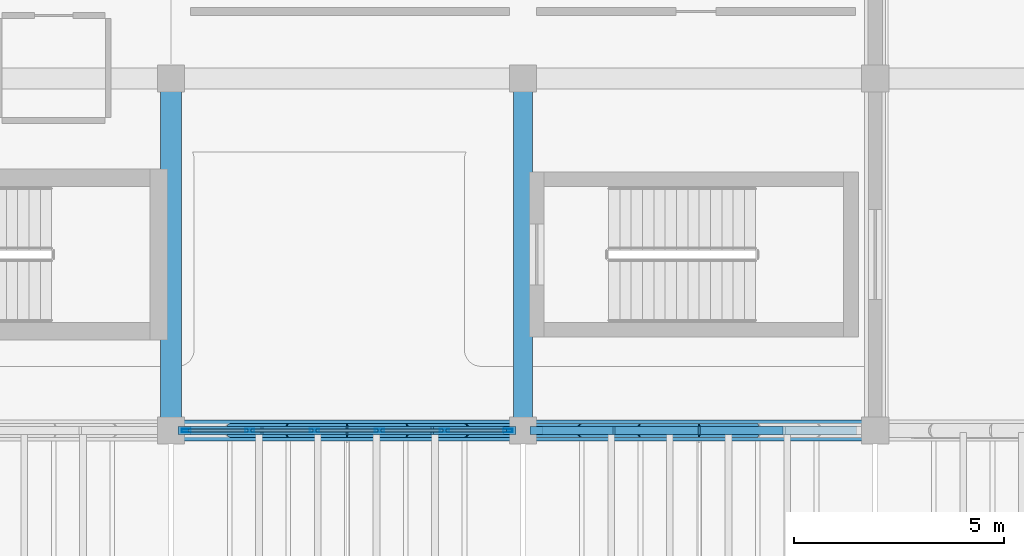
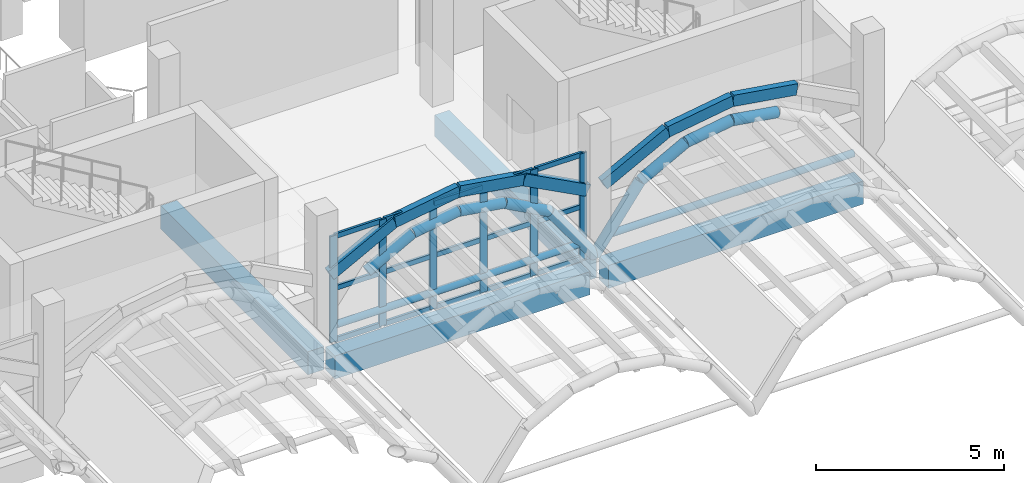
# One storey, part 4 of 22: 28 members, 15 beams, 1 element without a shape of its own.
"""IFC4 building model written with IfcOpenShell, lengths in metres."""

from ifc_helpers import new_model, si_unit, direction, frame, origin, origin_2d, place, context, subcontext, project, spatial, rectangle, hollow_rectangle, hollow_circle, extrude, material, layer, layer_set, material_profile, profile_set, type_object, element, aggregate, save


model = new_model("IFC4")

# Units and contexts
model_context = context("Model", 3, precision=1e-05, world=origin(), true_north=direction((0.0, 1.0)))
body_context = subcontext(model_context, "Body", "Model", "MODEL_VIEW")
ifc_project = project(units=[si_unit("LENGTHUNIT", "METRE"), si_unit("AREAUNIT", "SQUARE_METRE"), si_unit("VOLUMEUNIT", "CUBIC_METRE"), si_unit("PLANEANGLEUNIT", "RADIAN"), si_unit("MASSUNIT", "GRAM", prefix="KILO")], contexts=[model_context])

# Site, building, storey
site_placement = place(None, origin())
site = spatial("IfcSite", under=ifc_project, at=site_placement, CompositionType="ELEMENT")
building_placement = place(site_placement, origin())
building = spatial("IfcBuilding", under=site, at=building_placement, Name="Xazarin Passage Department Store", CompositionType="ELEMENT")
storey_placement = place(building_placement, frame((0.0, 0.0, 27.89990234375)))
storey = spatial("IfcBuildingStorey", under=building, at=storey_placement, Name="L06", CompositionType="ELEMENT", Elevation=27.89990234375)

# Curtain wall, members
ifc_material_1 = material(Name="Bronze anodised aluminium", Category="aluminium")
ifc_layer = layer(ifc_material_1, 0.199951171875)
ifc_layer_set = layer_set([ifc_layer], Name="Bronze anodised aluminium")
curtain_wall_type = type_object("IfcCurtainWallType", Name="ARC-CW-VIT2", PredefinedType="NOTDEFINED", material=ifc_layer_set)
curtain_wall_placement = place(storey_placement, origin())
curtain_wall = element("IfcCurtainWall", 1, at=curtain_wall_placement, inside=storey, type_object=curtain_wall_type, Name="L06 V1 Curtain Wall 086", PredefinedType="NOTDEFINED")
ifc_material_profile_1 = material_profile(ifc_material_1, hollow_rectangle(XDim=0.074951171875, YDim=0.219970703125, WallThickness=0.0048828125, at=origin_2d()), Name="ALU 75x220")
ifc_profile_set_1 = profile_set([ifc_material_profile_1], Name="Bronze anodised aluminium")
member_type_1 = type_object("IfcMemberType", Name="ARC-CWM-75x220", PredefinedType="MULLION", material=ifc_profile_set_1)
member_1_placement = place(storey_placement, frame((17.16259765625, 76.39990234375, 0.0), z_axis=(0.0, 0.0, 1.0), x_axis=(0.0, 1.0, 0.0)))
member_1 = element("IfcMember", 2, at=member_1_placement, type_object=member_type_1, Name="CW2 mullion 1", PredefinedType="MULLION", context=body_context, shape_type="SweptSolid", body=[
    extrude(hollow_rectangle(XDim=0.074951171875, YDim=0.219970703125, WallThickness=0.0048828125, at=origin_2d()), origin(), (0.0, 0.0, 1.0), 3.4501953125),
])
member_2_placement = place(storey_placement, frame((18.675048828125, 76.39990234375, 0.0), z_axis=(0.0, 0.0, 1.0), x_axis=(0.0, 1.0, 0.0)))
member_2 = element("IfcMember", 3, at=member_2_placement, type_object=member_type_1, Name="CW2 mullion 2", PredefinedType="MULLION", context=body_context, shape_type="SweptSolid", body=[
    extrude(hollow_rectangle(XDim=0.074951171875, YDim=0.219970703125, WallThickness=0.0048828125, at=origin_2d()), origin(), (0.0, 0.0, 1.0), 3.4501953125),
])
member_3_placement = place(storey_placement, frame((20.22509765625, 76.39990234375, 0.0), z_axis=(0.0, 0.0, 1.0), x_axis=(0.0, 1.0, 0.0)))
member_3 = element("IfcMember", 4, at=member_3_placement, type_object=member_type_1, Name="CW2 mullion 3", PredefinedType="MULLION", context=body_context, shape_type="SweptSolid", body=[
    extrude(hollow_rectangle(XDim=0.074951171875, YDim=0.219970703125, WallThickness=0.0048828125, at=origin_2d()), origin(), (0.0, 0.0, 1.0), 3.4501953125),
])
member_4_placement = place(storey_placement, frame((21.77490234375, 76.39990234375, 0.0), z_axis=(0.0, 0.0, 1.0), x_axis=(0.0, 1.0, 0.0)))
member_4 = element("IfcMember", 5, at=member_4_placement, type_object=member_type_1, Name="CW2 mullion 4", PredefinedType="MULLION", context=body_context, shape_type="SweptSolid", body=[
    extrude(hollow_rectangle(XDim=0.074951171875, YDim=0.219970703125, WallThickness=0.0048828125, at=origin_2d()), origin(), (0.0, 0.0, 1.0), 3.4501953125),
])
member_5_placement = place(storey_placement, frame((23.324951171875, 76.39990234375, 0.0), z_axis=(0.0, 0.0, 1.0), x_axis=(0.0, 1.0, 0.0)))
member_5 = element("IfcMember", 6, at=member_5_placement, type_object=member_type_1, Name="CW2 mullion 5", PredefinedType="MULLION", context=body_context, shape_type="SweptSolid", body=[
    extrude(hollow_rectangle(XDim=0.074951171875, YDim=0.219970703125, WallThickness=0.0048828125, at=origin_2d()), origin(), (0.0, 0.0, 1.0), 3.4501953125),
])
member_6_placement = place(storey_placement, frame((24.83740234375, 76.39990234375, 0.0), z_axis=(0.0, 0.0, 1.0), x_axis=(0.0, 1.0, 0.0)))
member_6 = element("IfcMember", 7, at=member_6_placement, type_object=member_type_1, Name="CW2 mullion 6", PredefinedType="MULLION", context=body_context, shape_type="SweptSolid", body=[
    extrude(hollow_rectangle(XDim=0.074951171875, YDim=0.219970703125, WallThickness=0.0048828125, at=origin_2d()), origin(), (0.0, 0.0, 1.0), 3.4501953125),
])
ifc_material_profile_2 = material_profile(ifc_material_1, hollow_rectangle(XDim=0.074951171875, YDim=0.159912109375, WallThickness=0.00439453125, at=origin_2d()), Name="ALU 75x160")
ifc_profile_set_2 = profile_set([ifc_material_profile_2], Name="Bronze anodised aluminium")
member_type_2 = type_object("IfcMemberType", Name="ARC-CWT-75x160", PredefinedType="USERDEFINED", material=ifc_profile_set_2)
member_7_placement = place(storey_placement, frame((17.199951171875, 76.39990234375, 0.03759765625), z_axis=(1.0, 0.0, 0.0), x_axis=(0.0, 1.0, 0.0)))
member_7 = element("IfcMember", 8, at=member_7_placement, type_object=member_type_2, Name="CW2 transom 1.1", ObjectType="TRANSOM", PredefinedType="USERDEFINED", context=body_context, shape_type="SweptSolid", body=[
    extrude(hollow_rectangle(XDim=0.074951171875, YDim=0.159912109375, WallThickness=0.00439453125, at=origin_2d()), origin(), (0.0, 0.0, 1.0), 1.4375),
])
member_8_placement = place(storey_placement, frame((17.199951171875, 76.39990234375, 1.72509765625), z_axis=(1.0, 0.0, 0.0), x_axis=(0.0, 1.0, 0.0)))
member_8 = element("IfcMember", 9, at=member_8_placement, type_object=member_type_2, Name="CW2 transom 1.2", ObjectType="TRANSOM", PredefinedType="USERDEFINED", context=body_context, shape_type="SweptSolid", body=[
    extrude(hollow_rectangle(XDim=0.074951171875, YDim=0.159912109375, WallThickness=0.00439453125, at=origin_2d()), origin(), (0.0, 0.0, 1.0), 1.4375),
])
member_9_placement = place(storey_placement, frame((17.199951171875, 76.39990234375, 3.41259765625), z_axis=(1.0, 0.0, 0.0), x_axis=(0.0, 1.0, 0.0)))
member_9 = element("IfcMember", 10, at=member_9_placement, type_object=member_type_2, Name="CW2 transom 1.3", ObjectType="TRANSOM", PredefinedType="USERDEFINED", context=body_context, shape_type="SweptSolid", body=[
    extrude(hollow_rectangle(XDim=0.074951171875, YDim=0.159912109375, WallThickness=0.00439453125, at=origin_2d()), origin(), (0.0, 0.0, 1.0), 1.4375),
])
member_10_placement = place(storey_placement, frame((18.71240234375, 76.39990234375, 0.03759765625), z_axis=(1.0, 0.0, 0.0), x_axis=(0.0, 1.0, 0.0)))
member_10 = element("IfcMember", 11, at=member_10_placement, type_object=member_type_2, Name="CW2 transom 2.1", ObjectType="TRANSOM", PredefinedType="USERDEFINED", context=body_context, shape_type="SweptSolid", body=[
    extrude(hollow_rectangle(XDim=0.074951171875, YDim=0.159912109375, WallThickness=0.00439453125, at=origin_2d()), origin(), (0.0, 0.0, 1.0), 1.47509765625),
])
member_11_placement = place(storey_placement, frame((18.71240234375, 76.39990234375, 1.72509765625), z_axis=(1.0, 0.0, 0.0), x_axis=(0.0, 1.0, 0.0)))
member_11 = element("IfcMember", 12, at=member_11_placement, type_object=member_type_2, Name="CW2 transom 2.2", ObjectType="TRANSOM", PredefinedType="USERDEFINED", context=body_context, shape_type="SweptSolid", body=[
    extrude(hollow_rectangle(XDim=0.074951171875, YDim=0.159912109375, WallThickness=0.00439453125, at=origin_2d()), origin(), (0.0, 0.0, 1.0), 1.47509765625),
])
member_12_placement = place(storey_placement, frame((18.71240234375, 76.39990234375, 3.41259765625), z_axis=(1.0, 0.0, 0.0), x_axis=(0.0, 1.0, 0.0)))
member_12 = element("IfcMember", 13, at=member_12_placement, type_object=member_type_2, Name="CW2 transom 2.3", ObjectType="TRANSOM", PredefinedType="USERDEFINED", context=body_context, shape_type="SweptSolid", body=[
    extrude(hollow_rectangle(XDim=0.074951171875, YDim=0.159912109375, WallThickness=0.00439453125, at=origin_2d()), origin(), (0.0, 0.0, 1.0), 1.47509765625),
])
member_13_placement = place(storey_placement, frame((20.262451171875, 76.39990234375, 0.03759765625), z_axis=(1.0, 0.0, 0.0), x_axis=(0.0, 1.0, 0.0)))
member_13 = element("IfcMember", 14, at=member_13_placement, type_object=member_type_2, Name="CW2 transom 3.1", ObjectType="TRANSOM", PredefinedType="USERDEFINED", context=body_context, shape_type="SweptSolid", body=[
    extrude(hollow_rectangle(XDim=0.074951171875, YDim=0.159912109375, WallThickness=0.00439453125, at=origin_2d()), origin(), (0.0, 0.0, 1.0), 1.47509765625),
])
member_14_placement = place(storey_placement, frame((20.262451171875, 76.39990234375, 1.72509765625), z_axis=(1.0, 0.0, 0.0), x_axis=(0.0, 1.0, 0.0)))
member_14 = element("IfcMember", 15, at=member_14_placement, type_object=member_type_2, Name="CW2 transom 3.2", ObjectType="TRANSOM", PredefinedType="USERDEFINED", context=body_context, shape_type="SweptSolid", body=[
    extrude(hollow_rectangle(XDim=0.074951171875, YDim=0.159912109375, WallThickness=0.00439453125, at=origin_2d()), origin(), (0.0, 0.0, 1.0), 1.47509765625),
])
member_15_placement = place(storey_placement, frame((20.262451171875, 76.39990234375, 3.41259765625), z_axis=(1.0, 0.0, 0.0), x_axis=(0.0, 1.0, 0.0)))
member_15 = element("IfcMember", 16, at=member_15_placement, type_object=member_type_2, Name="CW2 transom 3.3", ObjectType="TRANSOM", PredefinedType="USERDEFINED", context=body_context, shape_type="SweptSolid", body=[
    extrude(hollow_rectangle(XDim=0.074951171875, YDim=0.159912109375, WallThickness=0.00439453125, at=origin_2d()), origin(), (0.0, 0.0, 1.0), 1.47509765625),
])
member_16_placement = place(storey_placement, frame((21.8125, 76.39990234375, 0.03759765625), z_axis=(1.0, 0.0, 0.0), x_axis=(0.0, 1.0, 0.0)))
member_16 = element("IfcMember", 17, at=member_16_placement, type_object=member_type_2, Name="CW2 transom 4.1", ObjectType="TRANSOM", PredefinedType="USERDEFINED", context=body_context, shape_type="SweptSolid", body=[
    extrude(hollow_rectangle(XDim=0.074951171875, YDim=0.159912109375, WallThickness=0.00439453125, at=origin_2d()), origin(), (0.0, 0.0, 1.0), 1.47509765625),
])
member_17_placement = place(storey_placement, frame((21.8125, 76.39990234375, 1.72509765625), z_axis=(1.0, 0.0, 0.0), x_axis=(0.0, 1.0, 0.0)))
member_17 = element("IfcMember", 18, at=member_17_placement, type_object=member_type_2, Name="CW2 transom 4.2", ObjectType="TRANSOM", PredefinedType="USERDEFINED", context=body_context, shape_type="SweptSolid", body=[
    extrude(hollow_rectangle(XDim=0.074951171875, YDim=0.159912109375, WallThickness=0.00439453125, at=origin_2d()), origin(), (0.0, 0.0, 1.0), 1.47509765625),
])
member_18_placement = place(storey_placement, frame((21.8125, 76.39990234375, 3.41259765625), z_axis=(1.0, 0.0, 0.0), x_axis=(0.0, 1.0, 0.0)))
member_18 = element("IfcMember", 19, at=member_18_placement, type_object=member_type_2, Name="CW2 transom 4.3", ObjectType="TRANSOM", PredefinedType="USERDEFINED", context=body_context, shape_type="SweptSolid", body=[
    extrude(hollow_rectangle(XDim=0.074951171875, YDim=0.159912109375, WallThickness=0.00439453125, at=origin_2d()), origin(), (0.0, 0.0, 1.0), 1.47509765625),
])
member_19_placement = place(storey_placement, frame((23.362548828125, 76.39990234375, 0.03759765625), z_axis=(1.0, 0.0, 0.0), x_axis=(0.0, 1.0, 0.0)))
member_19 = element("IfcMember", 20, at=member_19_placement, type_object=member_type_2, Name="CW2 transom 5.1", ObjectType="TRANSOM", PredefinedType="USERDEFINED", context=body_context, shape_type="SweptSolid", body=[
    extrude(hollow_rectangle(XDim=0.074951171875, YDim=0.159912109375, WallThickness=0.00439453125, at=origin_2d()), origin(), (0.0, 0.0, 1.0), 1.4375),
])
member_20_placement = place(storey_placement, frame((23.362548828125, 76.39990234375, 1.72509765625), z_axis=(1.0, 0.0, 0.0), x_axis=(0.0, 1.0, 0.0)))
member_20 = element("IfcMember", 21, at=member_20_placement, type_object=member_type_2, Name="CW2 transom 5.2", ObjectType="TRANSOM", PredefinedType="USERDEFINED", context=body_context, shape_type="SweptSolid", body=[
    extrude(hollow_rectangle(XDim=0.074951171875, YDim=0.159912109375, WallThickness=0.00439453125, at=origin_2d()), origin(), (0.0, 0.0, 1.0), 1.4375),
])
member_21_placement = place(storey_placement, frame((23.362548828125, 76.39990234375, 3.41259765625), z_axis=(1.0, 0.0, 0.0), x_axis=(0.0, 1.0, 0.0)))
member_21 = element("IfcMember", 22, at=member_21_placement, type_object=member_type_2, Name="CW2 transom 5.3", ObjectType="TRANSOM", PredefinedType="USERDEFINED", context=body_context, shape_type="SweptSolid", body=[
    extrude(hollow_rectangle(XDim=0.074951171875, YDim=0.159912109375, WallThickness=0.00439453125, at=origin_2d()), origin(), (0.0, 0.0, 1.0), 1.4375),
])
aggregate(curtain_wall, [member_1, member_2, member_3, member_4, member_5, member_6, member_7, member_8, member_9, member_10, member_11, member_12, member_13, member_14, member_15, member_16, member_17, member_18, member_19, member_20, member_21])

# Beams
ifc_material_2 = material(Name="Steel S355", Category="steel")
ifc_material_profile_3 = material_profile(ifc_material_2, hollow_circle(Radius=0.161865234375, WallThickness=0.01611328125, at=origin_2d()), Name="CHS 323.9x16")
ifc_profile_set_3 = profile_set([ifc_material_profile_3], Name="Steel S355")
beam_type_1 = type_object("IfcBeamType", Name="STR-BM-AR324", PredefinedType="BEAM", material=ifc_profile_set_3)
beam_1_placement = place(storey_placement, frame((18.199951171875, 76.39990234375, 1.92041015625), z_axis=(0.879963126177, 0.0, 0.475041994532), x_axis=(0.0, 1.0, 0.0)))
element("IfcBeam", 23, at=beam_1_placement, inside=storey, type_object=beam_type_1, Name="L06 V1S Curved Shell Arch Rib 3.3.2", PredefinedType="BEAM", context=body_context, shape_type="SweptSolid", body=[
    extrude(hollow_circle(Radius=0.161865234375, WallThickness=0.01611328125, at=origin_2d()), origin(), (0.0, 0.0, 1.0), 1.591064453125),
])
for number, where, z_axis, x_axis, name in (
    (24, (19.60009765625, 76.39990234375, 2.67626953125), (0.987452450124, 0.0, 0.157916619596), (0.0, 1.0, 0.0), "L06 V1S Curved Shell Arch Rib 3.3.3"),
    (25, (21.0, 76.39990234375, 2.900146484375), (0.987452450124, 0.0, -0.157916619596), (0.0, 1.0, 0.0), "L06 V1S Curved Shell Arch Rib 3.3.4"),
):
    element("IfcBeam", number, at=place(storey_placement, frame(where, z_axis=z_axis, x_axis=x_axis)), inside=storey, type_object=beam_type_1, Name=name, PredefinedType="BEAM", context=body_context, shape_type="SweptSolid", body=[
        extrude(hollow_circle(Radius=0.161865234375, WallThickness=0.01611328125, at=origin_2d()), origin(), (0.0, 0.0, 1.0), 1.417724609375),
    ])
beam_2_placement = place(storey_placement, frame((22.39990234375, 76.39990234375, 2.67626953125), z_axis=(0.879963126177, 0.0, -0.475041994532), x_axis=(0.0, 1.0, 0.0)))
element("IfcBeam", 26, at=beam_2_placement, inside=storey, type_object=beam_type_1, Name="L06 V1S Curved Shell Arch Rib 3.3.5", PredefinedType="BEAM", context=body_context, shape_type="SweptSolid", body=[
    extrude(hollow_circle(Radius=0.161865234375, WallThickness=0.01611328125, at=origin_2d()), origin(), (0.0, 0.0, 1.0), 1.591064453125),
])
beam_3_placement = place(storey_placement, frame((23.800048828125, 76.39990234375, 1.92041015625), z_axis=(0.589063161662, 0.0, -0.808086995053), x_axis=(0.0, 1.0, 0.0)))
element("IfcBeam", 27, at=beam_3_placement, inside=storey, type_object=beam_type_1, Name="L06 V1S Curved Shell Arch Rib 3.3.6", PredefinedType="BEAM", context=body_context, shape_type="SweptSolid", body=[
    extrude(hollow_circle(Radius=0.161865234375, WallThickness=0.01611328125, at=origin_2d()), origin(), (0.0, 0.0, 1.0), 2.37646484375),
])
beam_4_placement = place(storey_placement, frame((25.199951171875, 76.39990234375, 0.0), z_axis=(0.589130239798, 0.0, 0.808038093505), x_axis=(0.0, 1.0, 0.0)))
element("IfcBeam", 28, at=beam_4_placement, inside=storey, type_object=beam_type_1, Name="L06 V1S Curved Shell Arch Rib 4.3.1", PredefinedType="BEAM", context=body_context, shape_type="SweptSolid", body=[
    extrude(hollow_circle(Radius=0.161865234375, WallThickness=0.01611328125, at=origin_2d()), origin(), (0.0, 0.0, 1.0), 2.376708984375),
])
beam_5_placement = place(storey_placement, frame((26.60009765625, 76.39990234375, 1.92041015625), z_axis=(0.879928493742, 0.0, 0.475106141721), x_axis=(0.0, 1.0, 0.0)))
element("IfcBeam", 29, at=beam_5_placement, inside=storey, type_object=beam_type_1, Name="L06 V1S Curved Shell Arch Rib 4.3.2", PredefinedType="BEAM", context=body_context, shape_type="SweptSolid", body=[
    extrude(hollow_circle(Radius=0.161865234375, WallThickness=0.01611328125, at=origin_2d()), origin(), (0.0, 0.0, 1.0), 1.5908203125),
])
beam_6_placement = place(storey_placement, frame((28.0, 76.39990234375, 2.67626953125), z_axis=(0.987452450124, 0.0, 0.157916619596), x_axis=(0.0, 1.0, 0.0)))
element("IfcBeam", 30, at=beam_6_placement, inside=storey, type_object=beam_type_1, Name="L06 V1S Curved Shell Arch Rib 4.3.3", PredefinedType="BEAM", context=body_context, shape_type="SweptSolid", body=[
    extrude(hollow_circle(Radius=0.161865234375, WallThickness=0.01611328125, at=origin_2d()), origin(), (0.0, 0.0, 1.0), 1.417724609375),
])
beam_7_placement = place(storey_placement, frame((29.39990234375, 76.39990234375, 2.900146484375), z_axis=(0.987456743544, 0.0, -0.157889770502), x_axis=(0.0, 1.0, 0.0)))
element("IfcBeam", 31, at=beam_7_placement, inside=storey, type_object=beam_type_1, Name="L06 V1S Curved Shell Arch Rib 4.3.4", PredefinedType="BEAM", context=body_context, shape_type="SweptSolid", body=[
    extrude(hollow_circle(Radius=0.161865234375, WallThickness=0.01611328125, at=origin_2d()), origin(), (0.0, 0.0, 1.0), 1.41796875),
])
ifc_material_3 = material(Name="Concrete C35/45", Category="concrete")
ifc_material_profile_4 = material_profile(ifc_material_3, rectangle(XDim=0.449951171875, YDim=0.699951171875, at=origin_2d()), Name="RC 450x700")
ifc_profile_set_4 = profile_set([ifc_material_profile_4], Name="Concrete C35/45")
beam_type_2 = type_object("IfcBeamType", Name="STR-BM-G450x700", PredefinedType="BEAM", material=ifc_profile_set_4)
beam_8_placement = place(storey_placement, frame((25.199951171875, 76.679931640625, -0.64990234375), z_axis=(0.0, 1.0, 0.0), x_axis=(-1.0, 0.0, 0.0)))
element("IfcBeam", 32, at=beam_8_placement, inside=storey, type_object=beam_type_2, Name="L06 Grid Beam 4/L-M", PredefinedType="BEAM", context=body_context, shape_type="SweptSolid", body=[
    extrude(rectangle(XDim=0.449951171875, YDim=0.699951171875, at=origin_2d()), origin(), (0.0, 0.0, 1.0), 7.840087890625),
])
ifc_material_profile_5 = material_profile(ifc_material_3, rectangle(XDim=0.5, YDim=0.75, at=origin_2d()), Name="RC 500x750")
ifc_profile_set_5 = profile_set([ifc_material_profile_5], Name="Concrete C35/45")
beam_type_3 = type_object("IfcBeamType", Name="STR-BM-SP500x750", PredefinedType="SPANDREL", material=ifc_profile_set_5)
beam_9_placement = place(storey_placement, frame((17.080078125, 76.39990234375, -0.6748046875), z_axis=(1.0, 0.0, 0.0), x_axis=(0.0, 1.0, 0.0)))
element("IfcBeam", 33, at=beam_9_placement, inside=storey, type_object=beam_type_3, Name="L06 Grid Beam L/3-4", PredefinedType="SPANDREL", context=body_context, shape_type="SweptSolid", body=[
    extrude(rectangle(XDim=0.5, YDim=0.75, at=origin_2d()), origin(), (0.0, 0.0, 1.0), 7.83984375),
])
for number, where, z_axis, x_axis, name in (
    (34, (25.47998046875, 76.39990234375, -0.6748046875), (1.0, 0.0, 0.0), (0.0, 1.0, 0.0), "L06 Grid Beam L/4-5"),
    (35, (16.800048828125, 76.679931640625, -0.6748046875), (0.0, 1.0, 0.0), (-1.0, 0.0, 0.0), "L06 Grid Beam 3/L-M"),
):
    element("IfcBeam", number, at=place(storey_placement, frame(where, z_axis=z_axis, x_axis=x_axis)), inside=storey, type_object=beam_type_3, Name=name, PredefinedType="SPANDREL", context=body_context, shape_type="SweptSolid", body=[
        extrude(rectangle(XDim=0.5, YDim=0.75, at=origin_2d()), origin(), (0.0, 0.0, 1.0), 7.840087890625),
    ])
ifc_material_profile_6 = material_profile(ifc_material_2, hollow_circle(Radius=0.109619140625, WallThickness=0.012451171875, at=origin_2d()), Name="CHS 219.1x12.5")
ifc_profile_set_6 = profile_set([ifc_material_profile_6], Name="Steel S355")
beam_type_4 = type_object("IfcBeamType", Name="STR-BM-TIE219", PredefinedType="BEAM", material=ifc_profile_set_6)
for number, where, z_axis, x_axis, name in (
    (36, (17.25, 76.39990234375, 0.52001953125), (1.0, 0.0, 0.0), (0.0, 1.0, 0.0), "L06 V1S Barrel Shell Tie 3.3"),
    (37, (25.64990234375, 76.39990234375, 0.52001953125), (1.0, 0.0, 0.0), (0.0, 1.0, 0.0), "L06 V1S Barrel Shell Tie 4.3"),
):
    element("IfcBeam", number, at=place(storey_placement, frame(where, z_axis=z_axis, x_axis=x_axis)), inside=storey, type_object=beam_type_4, Name=name, PredefinedType="BEAM", context=body_context, shape_type="SweptSolid", body=[
        extrude(hollow_circle(Radius=0.109619140625, WallThickness=0.012451171875, at=origin_2d()), origin(), (0.0, 0.0, 1.0), 7.5),
    ])

# Members
ifc_material_4 = material(Name="Concrete C40/50", Category="concrete")
ifc_material_profile_7 = material_profile(ifc_material_4, rectangle(XDim=0.199951171875, YDim=0.360107421875, at=origin_2d()), Name="RC 200x360")
ifc_profile_set_7 = profile_set([ifc_material_profile_7], Name="Concrete C40/50")
member_type_3 = type_object("IfcMemberType", Name="STR-MEM-ARC360", PredefinedType="CHORD", material=ifc_profile_set_7)
member_22_placement = place(storey_placement, frame((17.050048828125, 76.39990234375, 2.22998046875), z_axis=(0.884709354127, 0.0, 0.466143066793), x_axis=(0.0, 1.0, 0.0)))
element("IfcMember", 38, at=member_22_placement, inside=storey, type_object=member_type_3, Name="L06 V1 Upper Setback Pierced Arch 039.1", PredefinedType="CHORD", context=body_context, shape_type="SweptSolid", body=[
    extrude(rectangle(XDim=0.199951171875, YDim=0.360107421875, at=origin_2d()), origin(), (0.0, 0.0, 1.0), 2.232177734375),
])
for number, where, z_axis, x_axis, name in (
    (39, (19.02490234375, 76.39990234375, 3.2705078125), (0.987938581312, 0.0, 0.154846244883), (0.0, 1.0, 0.0), "L06 V1 Upper Setback Pierced Arch 039.2"),
    (40, (21.0, 76.39990234375, 3.580078125), (0.987938581312, 0.0, -0.154846244883), (0.0, 1.0, 0.0), "L06 V1 Upper Setback Pierced Arch 039.3"),
):
    element("IfcMember", number, at=place(storey_placement, frame(where, z_axis=z_axis, x_axis=x_axis)), inside=storey, type_object=member_type_3, Name=name, PredefinedType="CHORD", context=body_context, shape_type="SweptSolid", body=[
        extrude(rectangle(XDim=0.199951171875, YDim=0.360107421875, at=origin_2d()), origin(), (0.0, 0.0, 1.0), 1.999267578125),
    ])
member_23_placement = place(storey_placement, frame((22.97509765625, 76.39990234375, 3.2705078125), z_axis=(0.884709354127, 0.0, -0.466143066793), x_axis=(0.0, 1.0, 0.0)))
element("IfcMember", 41, at=member_23_placement, inside=storey, type_object=member_type_3, Name="L06 V1 Upper Setback Pierced Arch 039.4", PredefinedType="CHORD", context=body_context, shape_type="SweptSolid", body=[
    extrude(rectangle(XDim=0.199951171875, YDim=0.360107421875, at=origin_2d()), origin(), (0.0, 0.0, 1.0), 2.232177734375),
])
member_24_placement = place(storey_placement, frame((25.449951171875, 76.39990234375, 2.22998046875), z_axis=(0.88473311603, 0.0, 0.466097965454), x_axis=(0.0, 1.0, 0.0)))
element("IfcMember", 42, at=member_24_placement, inside=storey, type_object=member_type_3, Name="L06 V1 Upper Setback Pierced Arch 040.1", PredefinedType="CHORD", context=body_context, shape_type="SweptSolid", body=[
    extrude(rectangle(XDim=0.199951171875, YDim=0.360107421875, at=origin_2d()), origin(), (0.0, 0.0, 1.0), 2.232421875),
])
member_25_placement = place(storey_placement, frame((27.425048828125, 76.39990234375, 3.2705078125), z_axis=(0.987935652704, 0.0, 0.154864928623), x_axis=(0.0, 1.0, 0.0)))
element("IfcMember", 43, at=member_25_placement, inside=storey, type_object=member_type_3, Name="L06 V1 Upper Setback Pierced Arch 040.2", PredefinedType="CHORD", context=body_context, shape_type="SweptSolid", body=[
    extrude(rectangle(XDim=0.199951171875, YDim=0.360107421875, at=origin_2d()), origin(), (0.0, 0.0, 1.0), 1.9990234375),
])
member_26_placement = place(storey_placement, frame((29.39990234375, 76.39990234375, 3.580078125), z_axis=(0.987938581312, 0.0, -0.154846244883), x_axis=(0.0, 1.0, 0.0)))
element("IfcMember", 44, at=member_26_placement, inside=storey, type_object=member_type_3, Name="L06 V1 Upper Setback Pierced Arch 040.3", PredefinedType="CHORD", context=body_context, shape_type="SweptSolid", body=[
    extrude(rectangle(XDim=0.199951171875, YDim=0.360107421875, at=origin_2d()), origin(), (0.0, 0.0, 1.0), 1.999267578125),
])

save(model, "model.ifc")
